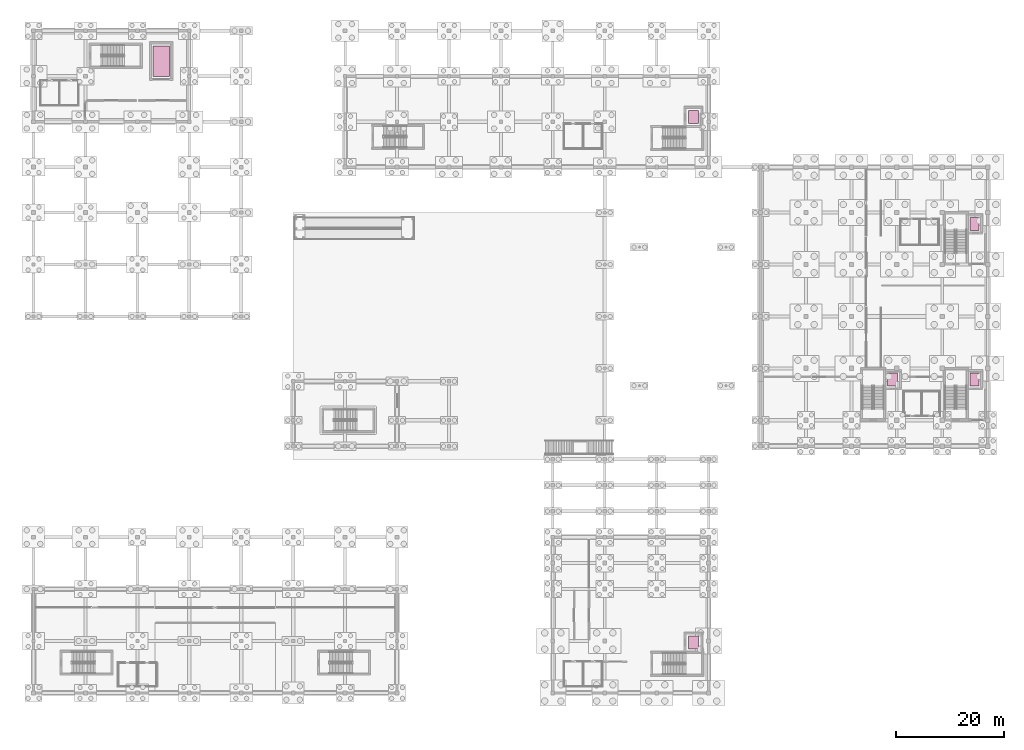
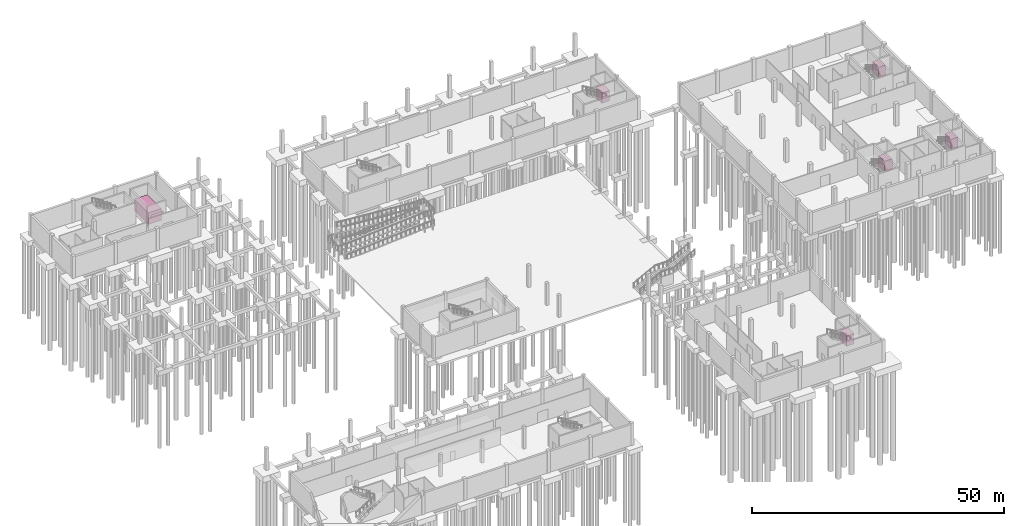
# One storey, part 41 of 41: 6 transport elements.
"""IFC4 building model written with IfcOpenShell, lengths in metres."""

from ifc_helpers import new_model, si_unit, direction, frame, origin, origin_2d, place, context, subcontext, project, spatial, rectangle, extrude, material, type_object, element, save


model = new_model("IFC4")

# Units and contexts
model_context = context("Model", 3, precision=1e-05, world=origin(), true_north=direction((0.0, 1.0)))
body_context = subcontext(model_context, "Body", "Model", "MODEL_VIEW")
ifc_project = project(units=[si_unit("LENGTHUNIT", "METRE"), si_unit("AREAUNIT", "SQUARE_METRE"), si_unit("VOLUMEUNIT", "CUBIC_METRE"), si_unit("PLANEANGLEUNIT", "RADIAN"), si_unit("MASSUNIT", "GRAM", prefix="KILO")], contexts=[model_context])

# Site, building, storey
site_placement = place(None, origin())
site = spatial("IfcSite", under=ifc_project, at=site_placement, CompositionType="ELEMENT")
building_placement = place(site_placement, origin())
building = spatial("IfcBuilding", under=site, at=building_placement, Name="Shalvenor Court Art Gallery", CompositionType="ELEMENT")
storey_placement = place(building_placement, frame((0.0, 0.0, -5.39990234375)))
storey = spatial("IfcBuildingStorey", under=building, at=storey_placement, Name="B01", CompositionType="ELEMENT", Elevation=-5.39990234375)

# Transport elements
ifc_material_1 = material(Name="Stainless steel firefighting lift car", Category="steel")
transport_element_type_1 = type_object("IfcTransportElementType", Name="LFT-FF", PredefinedType="ELEVATOR", material=ifc_material_1)
for number, where, z_axis, x_axis, name in (
    (1, (173.9560546875, 86.699951171875, 0.0), (0.0, 0.0, 1.0), (1.0, 0.0, 0.0), "Lift Car FL-01"),
    (2, (173.9560546875, 57.89990234375, 0.0), (0.0, 0.0, 1.0), (1.0, 0.0, 0.0), "Lift Car FL-02"),
):
    element("IfcTransportElement", number, at=place(storey_placement, frame(where, z_axis=z_axis, x_axis=x_axis)), inside=storey, type_object=transport_element_type_1, Name=name, PredefinedType="ELEVATOR", context=body_context, shape_type="SweptSolid", body=[
        extrude(rectangle(XDim=1.60009765625, YDim=2.39990234375, at=origin_2d()), origin(), (0.0, 0.0, 1.0), 2.5),
    ])
ifc_material_2 = material(Name="Painted steel and oak clean-art freight lift car", Category="steel")
transport_element_type_2 = type_object("IfcTransportElementType", Name="LFT-GD", PredefinedType="ELEVATOR", material=ifc_material_2)
transport_element_placement = place(storey_placement, frame((23.60009765625, 116.800048828125, 0.0), z_axis=(0.0, 0.0, 1.0), x_axis=(1.0, 0.0, 0.0)))
element("IfcTransportElement", 3, at=transport_element_placement, inside=storey, type_object=transport_element_type_2, Name="Lift Car GL-01", PredefinedType="ELEVATOR", context=body_context, shape_type="SweptSolid", body=[
    extrude(rectangle(XDim=3.0, YDim=5.60009765625, at=origin_2d()), origin(), (0.0, 0.0, 1.0), 2.800048828125),
])
ifc_material_3 = material(Name="Stainless steel and glass passenger lift car", Category="steel")
transport_element_type_3 = type_object("IfcTransportElementType", Name="LFT-PS", PredefinedType="ELEVATOR", material=ifc_material_3)
for number, where, z_axis, x_axis, name in (
    (4, (158.805908203125, 57.89990234375, 0.0), (0.0, 0.0, 1.0), (1.0, 0.0, 0.0), "Lift Car PL-01"),
    (5, (122.0, 9.285888671875, 0.0), (0.0, 0.0, 1.0), (1.0, 0.0, 0.0), "Lift Car PL-02"),
    (6, (122.0, 106.486083984375, 0.0), (0.0, 0.0, 1.0), (1.0, 0.0, 0.0), "Lift Car PL-03"),
):
    element("IfcTransportElement", number, at=place(storey_placement, frame(where, z_axis=z_axis, x_axis=x_axis)), inside=storey, type_object=transport_element_type_3, Name=name, PredefinedType="ELEVATOR", context=body_context, shape_type="SweptSolid", body=[
        extrude(rectangle(XDim=1.800048828125, YDim=2.39990234375, at=origin_2d()), origin(), (0.0, 0.0, 1.0), 2.5),
    ])

save(model, "model.ifc")
